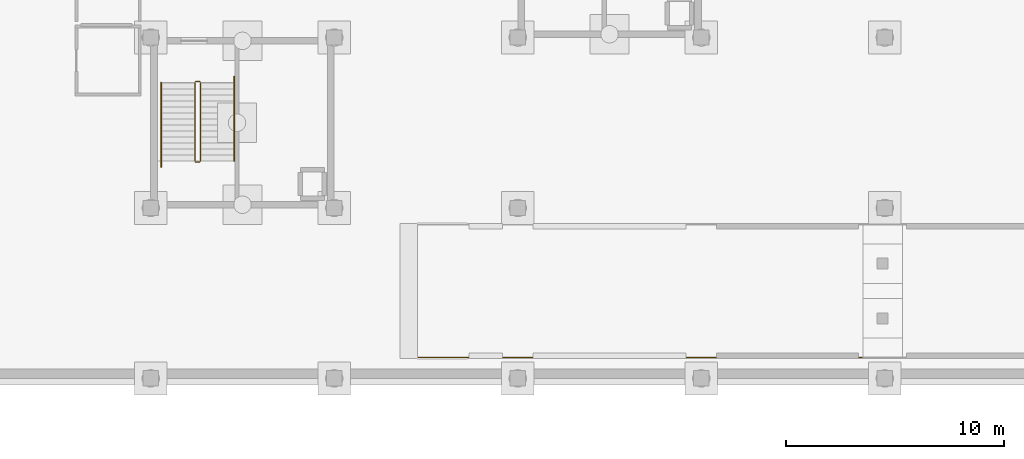
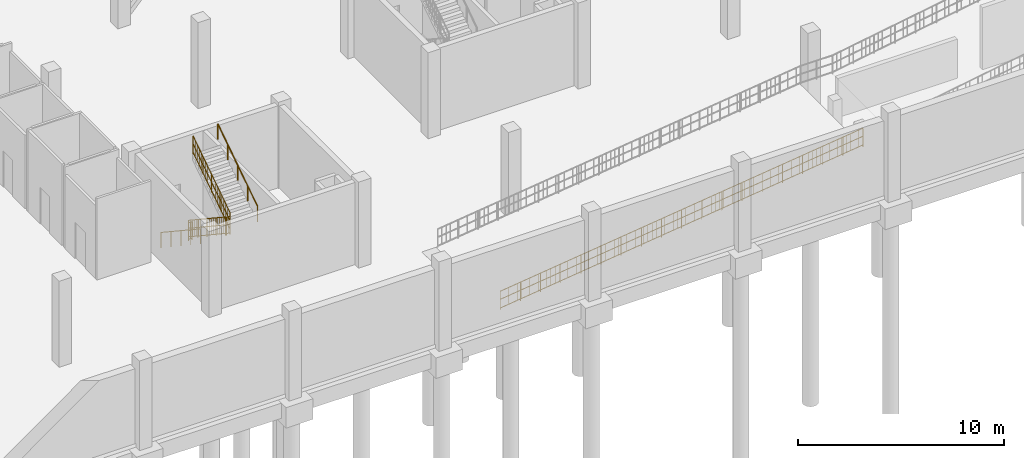
# One storey, part 44 of 48: 7 railings.
"""IFC4 building model written with IfcOpenShell, lengths in metres."""

from ifc_helpers import new_model, si_unit, direction, frame, origin, origin_2d, place, context, subcontext, project, spatial, circle, extrude, material, layer, layer_set, type_object, element, save


model = new_model("IFC4")

# Units and contexts
model_context = context("Model", 3, precision=1e-05, world=origin(), true_north=direction((0.0, 1.0)))
body_context = subcontext(model_context, "Body", "Model", "MODEL_VIEW")
ifc_project = project(units=[si_unit("LENGTHUNIT", "METRE"), si_unit("AREAUNIT", "SQUARE_METRE"), si_unit("VOLUMEUNIT", "CUBIC_METRE"), si_unit("PLANEANGLEUNIT", "RADIAN"), si_unit("MASSUNIT", "GRAM", prefix="KILO")], contexts=[model_context])

# Site, building, storey
site_placement = place(None, origin())
site = spatial("IfcSite", under=ifc_project, at=site_placement, CompositionType="ELEMENT")
building_placement = place(site_placement, origin())
building = spatial("IfcBuilding", under=site, at=building_placement, Name="Nabrawat Pavilion Hospital", CompositionType="ELEMENT")
storey_placement = place(building_placement, frame((0.0, 0.0, -5.10009765625)))
storey = spatial("IfcBuildingStorey", under=building, at=storey_placement, Name="B1", CompositionType="ELEMENT", Elevation=-5.10009765625)

# Railings
ifc_material = material(Name="Stainless Steel 316", Category="steel")
ifc_layer_1 = layer(ifc_material, 0.050048828125, Name="Stainless Steel 316")
ifc_layer_set_1 = layer_set([ifc_layer_1], Name="Stainless Steel 316")
railing_type_1 = type_object("IfcRailingType", Name="Stair Open-Well Safety Guardrail 1100", PredefinedType="GUARDRAIL", material=ifc_layer_set_1)
railing_1_placement = place(storey_placement, frame((144.824951171875, 13.530029296875, 0.18212890625)))
element("IfcRailing", 1, at=railing_1_placement, inside=storey, type_object=railing_type_1, Name="B1 ST-08 stair guard 1", PredefinedType="GUARDRAIL", context=body_context, shape_type="SweptSolid", body=[
    extrude(circle(Radius=0.02392578125, at=origin_2d()), frame((0.0, 0.0, 1.076171875), z_axis=(0.0, -0.833702089047, 0.552214475289), x_axis=(1.0, 0.0, 0.0)), (0.0, 0.0, 1.0), 4.2880859375),
    extrude(circle(Radius=0.02392578125, at=origin_2d()), frame((0.0, 0.0, 0.10009765625), z_axis=(0.0, -0.833702089047, 0.552214475289), x_axis=(1.0, 0.0, 0.0)), (0.0, 0.0, 1.0), 4.2880859375),
    extrude(circle(Radius=0.02392578125, at=origin_2d()), frame((0.0, 0.0, 0.60498046875), z_axis=(0.0, -0.833702089047, 0.552214475289), x_axis=(1.0, 0.0, 0.0)), (0.0, 0.0, 1.0), 4.2880859375),
    extrude(circle(Radius=0.008056640625, at=origin_2d()), frame((0.0, -0.19873046875, 0.2314453125)), (0.0, 0.0, 1.0), 0.951904296875),
    extrude(circle(Radius=0.008056640625, at=origin_2d()), frame((0.0, -0.397216796875, 0.363037109375)), (0.0, 0.0, 1.0), 0.951904296875),
    extrude(circle(Radius=0.008056640625, at=origin_2d()), frame((0.0, -0.595703125, 0.49462890625)), (0.0, 0.0, 1.0), 0.951904296875),
    extrude(circle(Radius=0.008056640625, at=origin_2d()), frame((0.0, -0.79443359375, 0.626220703125)), (0.0, 0.0, 1.0), 0.951904296875),
    extrude(circle(Radius=0.008056640625, at=origin_2d()), frame((0.0, -0.9931640625, 0.7578125)), (0.0, 0.0, 1.0), 0.951904296875),
    extrude(circle(Radius=0.008056640625, at=origin_2d()), frame((0.0, -1.191650390625, 0.889404296875)), (0.0, 0.0, 1.0), 0.951904296875),
    extrude(circle(Radius=0.008056640625, at=origin_2d()), frame((0.0, -1.39013671875, 1.020751953125)), (0.0, 0.0, 1.0), 0.951904296875),
    extrude(circle(Radius=0.008056640625, at=origin_2d()), frame((0.0, -1.5888671875, 1.15234375)), (0.0, 0.0, 1.0), 0.951904296875),
    extrude(circle(Radius=0.008056640625, at=origin_2d()), frame((0.0, -1.986083984375, 1.41552734375)), (0.0, 0.0, 1.0), 0.951904296875),
    extrude(circle(Radius=0.008056640625, at=origin_2d()), frame((0.0, -2.1845703125, 1.547119140625)), (0.0, 0.0, 1.0), 0.951904296875),
    extrude(circle(Radius=0.008056640625, at=origin_2d()), frame((0.0, -2.38330078125, 1.6787109375)), (0.0, 0.0, 1.0), 0.951904296875),
    extrude(circle(Radius=0.008056640625, at=origin_2d()), frame((0.0, -2.58203125, 1.81005859375)), (0.0, 0.0, 1.0), 0.951904296875),
    extrude(circle(Radius=0.008056640625, at=origin_2d()), frame((0.0, -2.780517578125, 1.941650390625)), (0.0, 0.0, 1.0), 0.951904296875),
    extrude(circle(Radius=0.008056640625, at=origin_2d()), frame((0.0, -2.97900390625, 2.0732421875)), (0.0, 0.0, 1.0), 0.951904296875),
    extrude(circle(Radius=0.008056640625, at=origin_2d()), frame((0.0, -3.177734375, 2.204833984375)), (0.0, 0.0, 1.0), 0.951904296875),
    extrude(circle(Radius=0.008056640625, at=origin_2d()), frame((0.0, -3.37646484375, 2.33642578125)), (0.0, 0.0, 1.0), 0.951904296875),
    extrude(circle(Radius=0.02099609375, at=origin_2d()), origin(), (0.0, 0.0, 1.0), 1.052001953125),
    extrude(circle(Radius=0.02099609375, at=origin_2d()), frame((0.0, -0.893798828125, 0.592041015625)), (0.0, 0.0, 1.0), 1.052001953125),
    extrude(circle(Radius=0.02099609375, at=origin_2d()), frame((0.0, -1.78759765625, 1.18408203125)), (0.0, 0.0, 1.0), 1.052001953125),
    extrude(circle(Radius=0.02099609375, at=origin_2d()), frame((0.0, -2.68115234375, 1.77587890625)), (0.0, 0.0, 1.0), 1.052001953125),
    extrude(circle(Radius=0.02099609375, at=origin_2d()), frame((0.0, -3.574951171875, 2.367919921875)), (0.0, 0.0, 1.0), 1.052001953125),
])
railing_2_placement = place(storey_placement, frame((144.85009765625, 9.905029296875, 2.550048828125)))
element("IfcRailing", 2, at=railing_2_placement, inside=storey, type_object=railing_type_1, Name="B1 ST-08 stair guard 2", PredefinedType="GUARDRAIL", context=body_context, shape_type="SweptSolid", body=[
    extrude(circle(Radius=0.02392578125, at=origin_2d()), frame((0.0, 0.0, 1.076171875), z_axis=(1.0, 0.0, 0.0), x_axis=(0.0, 1.0, 0.0)), (0.0, 0.0, 1.0), 0.199951171875),
    extrude(circle(Radius=0.02392578125, at=origin_2d()), frame((0.0, 0.0, 0.10009765625), z_axis=(1.0, 0.0, 0.0), x_axis=(0.0, 1.0, 0.0)), (0.0, 0.0, 1.0), 0.199951171875),
    extrude(circle(Radius=0.02392578125, at=origin_2d()), frame((0.0, 0.0, 0.60498046875), z_axis=(1.0, 0.0, 0.0), x_axis=(0.0, 1.0, 0.0)), (0.0, 0.0, 1.0), 0.199951171875),
    extrude(circle(Radius=0.008056640625, at=origin_2d()), frame((0.10009765625, 0.0, 0.10009765625)), (0.0, 0.0, 1.0), 0.951904296875),
    extrude(circle(Radius=0.02099609375, at=origin_2d()), origin(), (0.0, 0.0, 1.0), 1.052001953125),
    extrude(circle(Radius=0.02099609375, at=origin_2d()), frame((0.199951171875, 0.0, 0.0)), (0.0, 0.0, 1.0), 1.052001953125),
])
railing_3_placement = place(storey_placement, frame((145.074951171875, 9.955078125, 2.732177734375)))
element("IfcRailing", 3, at=railing_3_placement, inside=storey, type_object=railing_type_1, Name="B1 ST-08 stair guard 3", PredefinedType="GUARDRAIL", context=body_context, shape_type="SweptSolid", body=[
    extrude(circle(Radius=0.02392578125, at=origin_2d()), frame((0.0, 0.0, 1.076171875), z_axis=(0.0, 0.833702089047, 0.552214475289), x_axis=(-1.0, 0.0, 0.0)), (0.0, 0.0, 1.0), 4.2880859375),
    extrude(circle(Radius=0.02392578125, at=origin_2d()), frame((0.0, 0.0, 0.10009765625), z_axis=(0.0, 0.833702089047, 0.552214475289), x_axis=(-1.0, 0.0, 0.0)), (0.0, 0.0, 1.0), 4.2880859375),
    extrude(circle(Radius=0.02392578125, at=origin_2d()), frame((0.0, 0.0, 0.60498046875), z_axis=(0.0, 0.833702089047, 0.552214475289), x_axis=(-1.0, 0.0, 0.0)), (0.0, 0.0, 1.0), 4.2880859375),
    extrude(circle(Radius=0.008056640625, at=origin_2d()), frame((0.0, 0.19873046875, 0.2314453125)), (0.0, 0.0, 1.0), 0.951904296875),
    extrude(circle(Radius=0.008056640625, at=origin_2d()), frame((0.0, 0.397216796875, 0.363037109375)), (0.0, 0.0, 1.0), 0.951904296875),
    extrude(circle(Radius=0.008056640625, at=origin_2d()), frame((0.0, 0.595703125, 0.49462890625)), (0.0, 0.0, 1.0), 0.951904296875),
    extrude(circle(Radius=0.008056640625, at=origin_2d()), frame((0.0, 0.79443359375, 0.626220703125)), (0.0, 0.0, 1.0), 0.951904296875),
    extrude(circle(Radius=0.008056640625, at=origin_2d()), frame((0.0, 0.9931640625, 0.7578125)), (0.0, 0.0, 1.0), 0.951904296875),
    extrude(circle(Radius=0.008056640625, at=origin_2d()), frame((0.0, 1.191650390625, 0.889404296875)), (0.0, 0.0, 1.0), 0.951904296875),
    extrude(circle(Radius=0.008056640625, at=origin_2d()), frame((0.0, 1.39013671875, 1.020751953125)), (0.0, 0.0, 1.0), 0.951904296875),
    extrude(circle(Radius=0.008056640625, at=origin_2d()), frame((0.0, 1.5888671875, 1.15234375)), (0.0, 0.0, 1.0), 0.951904296875),
    extrude(circle(Radius=0.008056640625, at=origin_2d()), frame((0.0, 1.986083984375, 1.41552734375)), (0.0, 0.0, 1.0), 0.951904296875),
    extrude(circle(Radius=0.008056640625, at=origin_2d()), frame((0.0, 2.1845703125, 1.547119140625)), (0.0, 0.0, 1.0), 0.951904296875),
    extrude(circle(Radius=0.008056640625, at=origin_2d()), frame((0.0, 2.38330078125, 1.6787109375)), (0.0, 0.0, 1.0), 0.951904296875),
    extrude(circle(Radius=0.008056640625, at=origin_2d()), frame((0.0, 2.58203125, 1.81005859375)), (0.0, 0.0, 1.0), 0.951904296875),
    extrude(circle(Radius=0.008056640625, at=origin_2d()), frame((0.0, 2.780517578125, 1.941650390625)), (0.0, 0.0, 1.0), 0.951904296875),
    extrude(circle(Radius=0.008056640625, at=origin_2d()), frame((0.0, 2.97900390625, 2.0732421875)), (0.0, 0.0, 1.0), 0.951904296875),
    extrude(circle(Radius=0.008056640625, at=origin_2d()), frame((0.0, 3.177734375, 2.204833984375)), (0.0, 0.0, 1.0), 0.951904296875),
    extrude(circle(Radius=0.008056640625, at=origin_2d()), frame((0.0, 3.37646484375, 2.33642578125)), (0.0, 0.0, 1.0), 0.951904296875),
    extrude(circle(Radius=0.02099609375, at=origin_2d()), origin(), (0.0, 0.0, 1.0), 1.052001953125),
    extrude(circle(Radius=0.02099609375, at=origin_2d()), frame((0.0, 0.893798828125, 0.592041015625)), (0.0, 0.0, 1.0), 1.052001953125),
    extrude(circle(Radius=0.02099609375, at=origin_2d()), frame((0.0, 1.78759765625, 1.18408203125)), (0.0, 0.0, 1.0), 1.052001953125),
    extrude(circle(Radius=0.02099609375, at=origin_2d()), frame((0.0, 2.68115234375, 1.77587890625)), (0.0, 0.0, 1.0), 1.052001953125),
    extrude(circle(Radius=0.02099609375, at=origin_2d()), frame((0.0, 3.574951171875, 2.367919921875)), (0.0, 0.0, 1.0), 1.052001953125),
])
railing_4_placement = place(storey_placement, frame((144.85009765625, 13.580078125, 0.0)))
element("IfcRailing", 4, at=railing_4_placement, inside=storey, type_object=railing_type_1, Name="B1 ST-08 stair guard 4", PredefinedType="GUARDRAIL", context=body_context, shape_type="SweptSolid", body=[
    extrude(circle(Radius=0.02392578125, at=origin_2d()), frame((0.0, 0.0, 1.076171875), z_axis=(1.0, 0.0, 0.0), x_axis=(0.0, 1.0, 0.0)), (0.0, 0.0, 1.0), 0.199951171875),
    extrude(circle(Radius=0.02392578125, at=origin_2d()), frame((0.0, 0.0, 0.10009765625), z_axis=(1.0, 0.0, 0.0), x_axis=(0.0, 1.0, 0.0)), (0.0, 0.0, 1.0), 0.199951171875),
    extrude(circle(Radius=0.02392578125, at=origin_2d()), frame((0.0, 0.0, 0.60498046875), z_axis=(1.0, 0.0, 0.0), x_axis=(0.0, 1.0, 0.0)), (0.0, 0.0, 1.0), 0.199951171875),
    extrude(circle(Radius=0.008056640625, at=origin_2d()), frame((0.10009765625, 0.0, 0.10009765625)), (0.0, 0.0, 1.0), 0.951904296875),
    extrude(circle(Radius=0.02099609375, at=origin_2d()), origin(), (0.0, 0.0, 1.0), 1.052001953125),
    extrude(circle(Radius=0.02099609375, at=origin_2d()), frame((0.199951171875, 0.0, 0.0)), (0.0, 0.0, 1.0), 1.052001953125),
])
railing_5_placement = place(storey_placement, frame((155.050048828125, 0.9599609375, 0.0)))
element("IfcRailing", 5, at=railing_5_placement, inside=storey, type_object=railing_type_1, Name="B1 Vehicle Ramp Edge Safety Guardrail GRD-VRMP-F1-S", PredefinedType="GUARDRAIL", context=body_context, shape_type="SweptSolid", body=[
    extrude(circle(Radius=0.02392578125, at=origin_2d()), frame((0.0, 0.0, 1.09619140625), z_axis=(0.992239920483, 0.0, 0.124338007864), x_axis=(0.0, 1.0, 0.0)), (0.0, 0.0, 1.0), 20.509033203125),
    extrude(circle(Radius=0.02392578125, at=origin_2d()), frame((0.0, 0.0, 0.10009765625), z_axis=(0.992239920483, 0.0, 0.124338007864), x_axis=(0.0, 1.0, 0.0)), (0.0, 0.0, 1.0), 20.509033203125),
    extrude(circle(Radius=0.02392578125, at=origin_2d()), frame((0.0, 0.0, 0.615966796875), z_axis=(0.992239920483, 0.0, 0.124338007864), x_axis=(0.0, 1.0, 0.0)), (0.0, 0.0, 1.0), 20.509033203125),
    extrude(circle(Radius=0.008056640625, at=origin_2d()), frame((0.236572265625, 0.0, 0.129638671875)), (0.0, 0.0, 1.0), 0.971923828125),
    extrude(circle(Radius=0.008056640625, at=origin_2d()), frame((0.47314453125, 0.0, 0.159423828125)), (0.0, 0.0, 1.0), 0.971923828125),
    extrude(circle(Radius=0.008056640625, at=origin_2d()), frame((0.7099609375, 0.0, 0.18896484375)), (0.0, 0.0, 1.0), 0.971923828125),
    extrude(circle(Radius=0.008056640625, at=origin_2d()), frame((0.946533203125, 0.0, 0.218505859375)), (0.0, 0.0, 1.0), 0.971923828125),
    extrude(circle(Radius=0.008056640625, at=origin_2d()), frame((1.18310546875, 0.0, 0.248291015625)), (0.0, 0.0, 1.0), 0.971923828125),
    extrude(circle(Radius=0.008056640625, at=origin_2d()), frame((1.419677734375, 0.0, 0.27783203125)), (0.0, 0.0, 1.0), 0.971923828125),
    extrude(circle(Radius=0.008056640625, at=origin_2d()), frame((1.656494140625, 0.0, 0.3076171875)), (0.0, 0.0, 1.0), 0.971923828125),
    extrude(circle(Radius=0.008056640625, at=origin_2d()), frame((1.89306640625, 0.0, 0.337158203125)), (0.0, 0.0, 1.0), 0.971923828125),
    extrude(circle(Radius=0.008056640625, at=origin_2d()), frame((2.129638671875, 0.0, 0.366943359375)), (0.0, 0.0, 1.0), 0.971923828125),
    extrude(circle(Radius=0.008056640625, at=origin_2d()), frame((2.3662109375, 0.0, 0.396484375)), (0.0, 0.0, 1.0), 0.971923828125),
    extrude(circle(Radius=0.008056640625, at=origin_2d()), frame((2.602783203125, 0.0, 0.42626953125)), (0.0, 0.0, 1.0), 0.971923828125),
    extrude(circle(Radius=0.008056640625, at=origin_2d()), frame((2.839599609375, 0.0, 0.455810546875)), (0.0, 0.0, 1.0), 0.971923828125),
    extrude(circle(Radius=0.008056640625, at=origin_2d()), frame((3.076171875, 0.0, 0.4853515625)), (0.0, 0.0, 1.0), 0.971923828125),
    extrude(circle(Radius=0.008056640625, at=origin_2d()), frame((3.312744140625, 0.0, 0.51513671875)), (0.0, 0.0, 1.0), 0.971923828125),
    extrude(circle(Radius=0.008056640625, at=origin_2d()), frame((3.54931640625, 0.0, 0.544677734375)), (0.0, 0.0, 1.0), 0.971923828125),
    extrude(circle(Radius=0.008056640625, at=origin_2d()), frame((3.7861328125, 0.0, 0.574462890625)), (0.0, 0.0, 1.0), 0.971923828125),
    extrude(circle(Radius=0.008056640625, at=origin_2d()), frame((4.022705078125, 0.0, 0.60400390625)), (0.0, 0.0, 1.0), 0.971923828125),
    extrude(circle(Radius=0.008056640625, at=origin_2d()), frame((4.25927734375, 0.0, 0.6337890625)), (0.0, 0.0, 1.0), 0.971923828125),
    extrude(circle(Radius=0.008056640625, at=origin_2d()), frame((4.732421875, 0.0, 0.693115234375)), (0.0, 0.0, 1.0), 0.971923828125),
    extrude(circle(Radius=0.008056640625, at=origin_2d()), frame((4.96923828125, 0.0, 0.72265625)), (0.0, 0.0, 1.0), 0.971923828125),
    extrude(circle(Radius=0.008056640625, at=origin_2d()), frame((5.205810546875, 0.0, 0.75244140625)), (0.0, 0.0, 1.0), 0.971923828125),
    extrude(circle(Radius=0.008056640625, at=origin_2d()), frame((5.4423828125, 0.0, 0.781982421875)), (0.0, 0.0, 1.0), 0.971923828125),
    extrude(circle(Radius=0.008056640625, at=origin_2d()), frame((5.915771484375, 0.0, 0.84130859375)), (0.0, 0.0, 1.0), 0.971923828125),
    extrude(circle(Radius=0.008056640625, at=origin_2d()), frame((6.15234375, 0.0, 0.870849609375)), (0.0, 0.0, 1.0), 0.971923828125),
    extrude(circle(Radius=0.008056640625, at=origin_2d()), frame((6.388916015625, 0.0, 0.900634765625)), (0.0, 0.0, 1.0), 0.971923828125),
    extrude(circle(Radius=0.008056640625, at=origin_2d()), frame((6.62548828125, 0.0, 0.93017578125)), (0.0, 0.0, 1.0), 0.971923828125),
    extrude(circle(Radius=0.008056640625, at=origin_2d()), frame((6.862060546875, 0.0, 0.9599609375)), (0.0, 0.0, 1.0), 0.971923828125),
    extrude(circle(Radius=0.008056640625, at=origin_2d()), frame((7.098876953125, 0.0, 0.989501953125)), (0.0, 0.0, 1.0), 0.971923828125),
    extrude(circle(Radius=0.008056640625, at=origin_2d()), frame((7.33544921875, 0.0, 1.019287109375)), (0.0, 0.0, 1.0), 0.971923828125),
    extrude(circle(Radius=0.008056640625, at=origin_2d()), frame((7.572021484375, 0.0, 1.048828125)), (0.0, 0.0, 1.0), 0.971923828125),
    extrude(circle(Radius=0.008056640625, at=origin_2d()), frame((7.80859375, 0.0, 1.07861328125)), (0.0, 0.0, 1.0), 0.971923828125),
    extrude(circle(Radius=0.008056640625, at=origin_2d()), frame((8.04541015625, 0.0, 1.108154296875)), (0.0, 0.0, 1.0), 0.971923828125),
    extrude(circle(Radius=0.008056640625, at=origin_2d()), frame((8.281982421875, 0.0, 1.1376953125)), (0.0, 0.0, 1.0), 0.971923828125),
    extrude(circle(Radius=0.008056640625, at=origin_2d()), frame((8.5185546875, 0.0, 1.16748046875)), (0.0, 0.0, 1.0), 0.971923828125),
    extrude(circle(Radius=0.008056640625, at=origin_2d()), frame((8.755126953125, 0.0, 1.197021484375)), (0.0, 0.0, 1.0), 0.971923828125),
    extrude(circle(Radius=0.008056640625, at=origin_2d()), frame((8.99169921875, 0.0, 1.226806640625)), (0.0, 0.0, 1.0), 0.971923828125),
    extrude(circle(Radius=0.008056640625, at=origin_2d()), frame((9.228515625, 0.0, 1.25634765625)), (0.0, 0.0, 1.0), 0.971923828125),
    extrude(circle(Radius=0.008056640625, at=origin_2d()), frame((9.465087890625, 0.0, 1.2861328125)), (0.0, 0.0, 1.0), 0.971923828125),
    extrude(circle(Radius=0.008056640625, at=origin_2d()), frame((9.70166015625, 0.0, 1.315673828125)), (0.0, 0.0, 1.0), 0.971923828125),
    extrude(circle(Radius=0.008056640625, at=origin_2d()), frame((9.938232421875, 0.0, 1.345458984375)), (0.0, 0.0, 1.0), 0.971923828125),
    extrude(circle(Radius=0.008056640625, at=origin_2d()), frame((10.41162109375, 0.0, 1.40478515625)), (0.0, 0.0, 1.0), 0.971923828125),
    extrude(circle(Radius=0.008056640625, at=origin_2d()), frame((10.648193359375, 0.0, 1.434326171875)), (0.0, 0.0, 1.0), 0.971923828125),
    extrude(circle(Radius=0.008056640625, at=origin_2d()), frame((10.884765625, 0.0, 1.4638671875)), (0.0, 0.0, 1.0), 0.971923828125),
    extrude(circle(Radius=0.008056640625, at=origin_2d()), frame((11.121337890625, 0.0, 1.49365234375)), (0.0, 0.0, 1.0), 0.971923828125),
    extrude(circle(Radius=0.008056640625, at=origin_2d()), frame((11.358154296875, 0.0, 1.523193359375)), (0.0, 0.0, 1.0), 0.971923828125),
    extrude(circle(Radius=0.008056640625, at=origin_2d()), frame((11.5947265625, 0.0, 1.552978515625)), (0.0, 0.0, 1.0), 0.971923828125),
    extrude(circle(Radius=0.008056640625, at=origin_2d()), frame((11.831298828125, 0.0, 1.58251953125)), (0.0, 0.0, 1.0), 0.971923828125),
    extrude(circle(Radius=0.008056640625, at=origin_2d()), frame((12.06787109375, 0.0, 1.6123046875)), (0.0, 0.0, 1.0), 0.971923828125),
    extrude(circle(Radius=0.008056640625, at=origin_2d()), frame((12.304443359375, 0.0, 1.641845703125)), (0.0, 0.0, 1.0), 0.971923828125),
    extrude(circle(Radius=0.008056640625, at=origin_2d()), frame((12.541259765625, 0.0, 1.671630859375)), (0.0, 0.0, 1.0), 0.971923828125),
    extrude(circle(Radius=0.008056640625, at=origin_2d()), frame((12.77783203125, 0.0, 1.701171875)), (0.0, 0.0, 1.0), 0.971923828125),
    extrude(circle(Radius=0.008056640625, at=origin_2d()), frame((13.014404296875, 0.0, 1.73095703125)), (0.0, 0.0, 1.0), 0.971923828125),
    extrude(circle(Radius=0.008056640625, at=origin_2d()), frame((13.2509765625, 0.0, 1.760498046875)), (0.0, 0.0, 1.0), 0.971923828125),
    extrude(circle(Radius=0.008056640625, at=origin_2d()), frame((13.48779296875, 0.0, 1.7900390625)), (0.0, 0.0, 1.0), 0.971923828125),
    extrude(circle(Radius=0.008056640625, at=origin_2d()), frame((13.724365234375, 0.0, 1.81982421875)), (0.0, 0.0, 1.0), 0.971923828125),
    extrude(circle(Radius=0.008056640625, at=origin_2d()), frame((13.9609375, 0.0, 1.849365234375)), (0.0, 0.0, 1.0), 0.971923828125),
    extrude(circle(Radius=0.008056640625, at=origin_2d()), frame((14.197509765625, 0.0, 1.879150390625)), (0.0, 0.0, 1.0), 0.971923828125),
    extrude(circle(Radius=0.008056640625, at=origin_2d()), frame((14.43408203125, 0.0, 1.90869140625)), (0.0, 0.0, 1.0), 0.971923828125),
    extrude(circle(Radius=0.008056640625, at=origin_2d()), frame((14.907470703125, 0.0, 1.968017578125)), (0.0, 0.0, 1.0), 0.971923828125),
    extrude(circle(Radius=0.008056640625, at=origin_2d()), frame((15.14404296875, 0.0, 1.997802734375)), (0.0, 0.0, 1.0), 0.971923828125),
    extrude(circle(Radius=0.008056640625, at=origin_2d()), frame((15.380615234375, 0.0, 2.02734375)), (0.0, 0.0, 1.0), 0.971923828125),
    extrude(circle(Radius=0.008056640625, at=origin_2d()), frame((15.617431640625, 0.0, 2.05712890625)), (0.0, 0.0, 1.0), 0.971923828125),
    extrude(circle(Radius=0.008056640625, at=origin_2d()), frame((16.090576171875, 0.0, 2.1162109375)), (0.0, 0.0, 1.0), 0.971923828125),
    extrude(circle(Radius=0.008056640625, at=origin_2d()), frame((16.3271484375, 0.0, 2.14599609375)), (0.0, 0.0, 1.0), 0.971923828125),
    extrude(circle(Radius=0.008056640625, at=origin_2d()), frame((16.563720703125, 0.0, 2.175537109375)), (0.0, 0.0, 1.0), 0.971923828125),
    extrude(circle(Radius=0.008056640625, at=origin_2d()), frame((16.800537109375, 0.0, 2.205322265625)), (0.0, 0.0, 1.0), 0.971923828125),
    extrude(circle(Radius=0.008056640625, at=origin_2d()), frame((17.037109375, 0.0, 2.23486328125)), (0.0, 0.0, 1.0), 0.971923828125),
    extrude(circle(Radius=0.008056640625, at=origin_2d()), frame((17.273681640625, 0.0, 2.2646484375)), (0.0, 0.0, 1.0), 0.971923828125),
    extrude(circle(Radius=0.008056640625, at=origin_2d()), frame((17.51025390625, 0.0, 2.294189453125)), (0.0, 0.0, 1.0), 0.971923828125),
    extrude(circle(Radius=0.008056640625, at=origin_2d()), frame((17.7470703125, 0.0, 2.323974609375)), (0.0, 0.0, 1.0), 0.971923828125),
    extrude(circle(Radius=0.008056640625, at=origin_2d()), frame((17.983642578125, 0.0, 2.353515625)), (0.0, 0.0, 1.0), 0.971923828125),
    extrude(circle(Radius=0.008056640625, at=origin_2d()), frame((18.22021484375, 0.0, 2.38330078125)), (0.0, 0.0, 1.0), 0.971923828125),
    extrude(circle(Radius=0.008056640625, at=origin_2d()), frame((18.456787109375, 0.0, 2.412841796875)), (0.0, 0.0, 1.0), 0.971923828125),
    extrude(circle(Radius=0.008056640625, at=origin_2d()), frame((18.693359375, 0.0, 2.4423828125)), (0.0, 0.0, 1.0), 0.971923828125),
    extrude(circle(Radius=0.008056640625, at=origin_2d()), frame((18.93017578125, 0.0, 2.47216796875)), (0.0, 0.0, 1.0), 0.971923828125),
    extrude(circle(Radius=0.008056640625, at=origin_2d()), frame((19.166748046875, 0.0, 2.501708984375)), (0.0, 0.0, 1.0), 0.971923828125),
    extrude(circle(Radius=0.008056640625, at=origin_2d()), frame((19.4033203125, 0.0, 2.531494140625)), (0.0, 0.0, 1.0), 0.971923828125),
    extrude(circle(Radius=0.008056640625, at=origin_2d()), frame((19.639892578125, 0.0, 2.56103515625)), (0.0, 0.0, 1.0), 0.971923828125),
    extrude(circle(Radius=0.008056640625, at=origin_2d()), frame((19.876708984375, 0.0, 2.5908203125)), (0.0, 0.0, 1.0), 0.971923828125),
    extrude(circle(Radius=0.008056640625, at=origin_2d()), frame((20.11328125, 0.0, 2.620361328125)), (0.0, 0.0, 1.0), 0.971923828125),
    extrude(circle(Radius=0.02099609375, at=origin_2d()), origin(), (0.0, 0.0, 1.0), 1.072021484375),
    extrude(circle(Radius=0.02099609375, at=origin_2d()), frame((1.130615234375, 0.0, 0.1416015625)), (0.0, 0.0, 1.0), 1.072021484375),
    extrude(circle(Radius=0.02099609375, at=origin_2d()), frame((2.260986328125, 0.0, 0.283447265625)), (0.0, 0.0, 1.0), 1.072021484375),
    extrude(circle(Radius=0.02099609375, at=origin_2d()), frame((3.3916015625, 0.0, 0.425048828125)), (0.0, 0.0, 1.0), 1.072021484375),
    extrude(circle(Radius=0.02099609375, at=origin_2d()), frame((4.522216796875, 0.0, 0.566650390625)), (0.0, 0.0, 1.0), 1.072021484375),
    extrude(circle(Radius=0.02099609375, at=origin_2d()), frame((5.65283203125, 0.0, 0.708251953125)), (0.0, 0.0, 1.0), 1.072021484375),
    extrude(circle(Radius=0.02099609375, at=origin_2d()), frame((6.783203125, 0.0, 0.85009765625)), (0.0, 0.0, 1.0), 1.072021484375),
    extrude(circle(Radius=0.02099609375, at=origin_2d()), frame((7.913818359375, 0.0, 0.99169921875)), (0.0, 0.0, 1.0), 1.072021484375),
    extrude(circle(Radius=0.02099609375, at=origin_2d()), frame((9.04443359375, 0.0, 1.13330078125)), (0.0, 0.0, 1.0), 1.072021484375),
    extrude(circle(Radius=0.02099609375, at=origin_2d()), frame((10.1748046875, 0.0, 1.27490234375)), (0.0, 0.0, 1.0), 1.072021484375),
    extrude(circle(Radius=0.02099609375, at=origin_2d()), frame((11.305419921875, 0.0, 1.416748046875)), (0.0, 0.0, 1.0), 1.072021484375),
    extrude(circle(Radius=0.02099609375, at=origin_2d()), frame((12.43603515625, 0.0, 1.558349609375)), (0.0, 0.0, 1.0), 1.072021484375),
    extrude(circle(Radius=0.02099609375, at=origin_2d()), frame((13.566650390625, 0.0, 1.699951171875)), (0.0, 0.0, 1.0), 1.072021484375),
    extrude(circle(Radius=0.02099609375, at=origin_2d()), frame((14.697021484375, 0.0, 1.841796875)), (0.0, 0.0, 1.0), 1.072021484375),
    extrude(circle(Radius=0.02099609375, at=origin_2d()), frame((15.82763671875, 0.0, 1.9833984375)), (0.0, 0.0, 1.0), 1.072021484375),
    extrude(circle(Radius=0.02099609375, at=origin_2d()), frame((16.958251953125, 0.0, 2.125)), (0.0, 0.0, 1.0), 1.072021484375),
    extrude(circle(Radius=0.02099609375, at=origin_2d()), frame((18.0888671875, 0.0, 2.2666015625)), (0.0, 0.0, 1.0), 1.072021484375),
    extrude(circle(Radius=0.02099609375, at=origin_2d()), frame((19.21923828125, 0.0, 2.408447265625)), (0.0, 0.0, 1.0), 1.072021484375),
    extrude(circle(Radius=0.02099609375, at=origin_2d()), frame((20.349853515625, 0.0, 2.550048828125)), (0.0, 0.0, 1.0), 1.072021484375),
])
ifc_layer_2 = layer(ifc_material, 0.044921875, Name="Stainless Steel 316")
ifc_layer_set_2 = layer_set([ifc_layer_2], Name="Stainless Steel 316")
railing_type_2 = type_object("IfcRailingType", Name="Stair Pitch Continuous Handrail 920", PredefinedType="HANDRAIL", material=ifc_layer_set_2)
railing_6_placement = place(storey_placement, frame((143.27490234375, 13.530029296875, 0.186279296875)))
element("IfcRailing", 6, at=railing_6_placement, inside=storey, type_object=railing_type_2, Name="B1 ST-08 stair handrail 1", PredefinedType="HANDRAIL", context=body_context, shape_type="SweptSolid", body=[
    extrude(circle(Radius=0.02392578125, at=origin_2d()), frame((0.0, 0.0, 0.89599609375), z_axis=(0.0, -0.833713881912, 0.552196670677), x_axis=(1.0, 0.0, 0.0)), (0.0, 0.0, 1.0), 4.617919921875),
    extrude(circle(Radius=0.02099609375, at=origin_2d()), origin(), (0.0, 0.0, 1.0), 0.871826171875),
    extrude(circle(Radius=0.02099609375, at=origin_2d()), frame((0.0, -0.96240234375, 0.637451171875)), (0.0, 0.0, 1.0), 0.871826171875),
    extrude(circle(Radius=0.02099609375, at=origin_2d()), frame((0.0, -1.925048828125, 1.27490234375)), (0.0, 0.0, 1.0), 0.871826171875),
    extrude(circle(Radius=0.02099609375, at=origin_2d()), frame((0.0, -2.8876953125, 1.91259765625)), (0.0, 0.0, 1.0), 0.871826171875),
    extrude(circle(Radius=0.02099609375, at=origin_2d()), frame((0.0, -3.85009765625, 2.550048828125)), (0.0, 0.0, 1.0), 0.871826171875),
])
railing_7_placement = place(storey_placement, frame((146.625, 9.955078125, 2.736328125)))
element("IfcRailing", 7, at=railing_7_placement, inside=storey, type_object=railing_type_2, Name="B1 ST-08 stair handrail 2", PredefinedType="HANDRAIL", context=body_context, shape_type="SweptSolid", body=[
    extrude(circle(Radius=0.02392578125, at=origin_2d()), frame((0.0, 0.0, 0.89599609375), z_axis=(0.0, 0.833722100762, 0.552184261548), x_axis=(-1.0, 0.0, 0.0)), (0.0, 0.0, 1.0), 4.61767578125),
    extrude(circle(Radius=0.02099609375, at=origin_2d()), origin(), (0.0, 0.0, 1.0), 0.871826171875),
    extrude(circle(Radius=0.02099609375, at=origin_2d()), frame((0.0, 0.96240234375, 0.637451171875)), (0.0, 0.0, 1.0), 0.871826171875),
    extrude(circle(Radius=0.02099609375, at=origin_2d()), frame((0.0, 1.9248046875, 1.27490234375)), (0.0, 0.0, 1.0), 0.871826171875),
    extrude(circle(Radius=0.02099609375, at=origin_2d()), frame((0.0, 2.887451171875, 1.912353515625)), (0.0, 0.0, 1.0), 0.871826171875),
    extrude(circle(Radius=0.02099609375, at=origin_2d()), frame((0.0, 3.849853515625, 2.5498046875)), (0.0, 0.0, 1.0), 0.871826171875),
])

save(model, "model.ifc")
